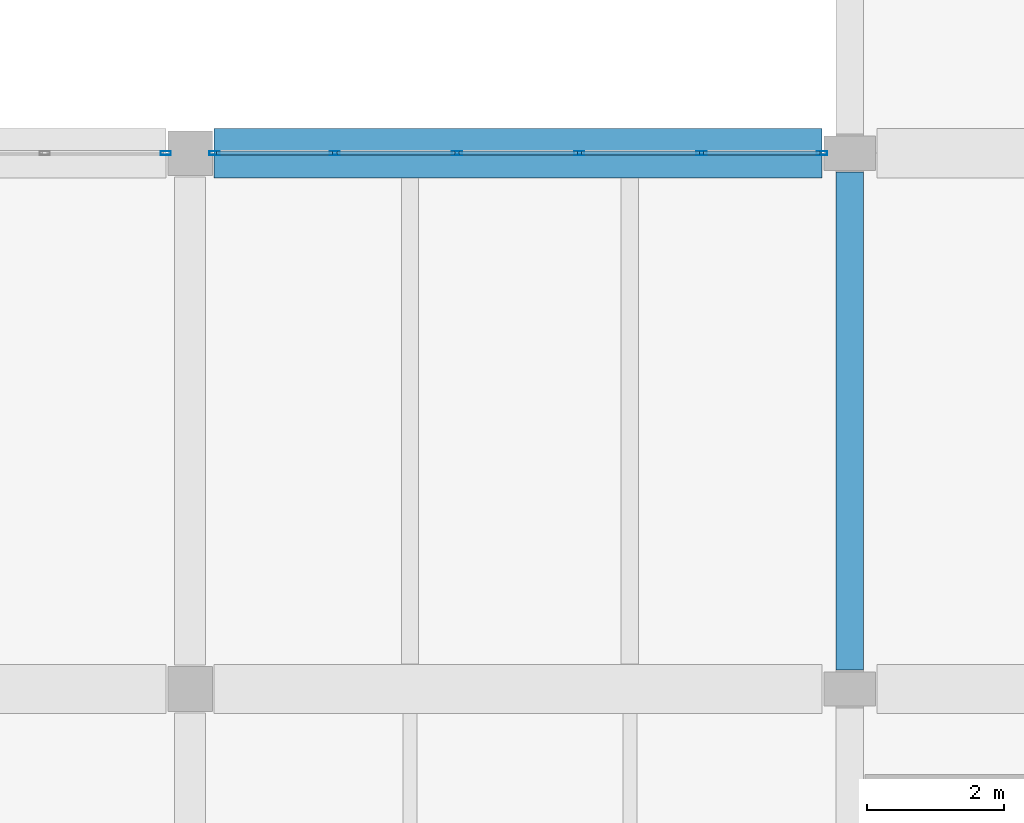
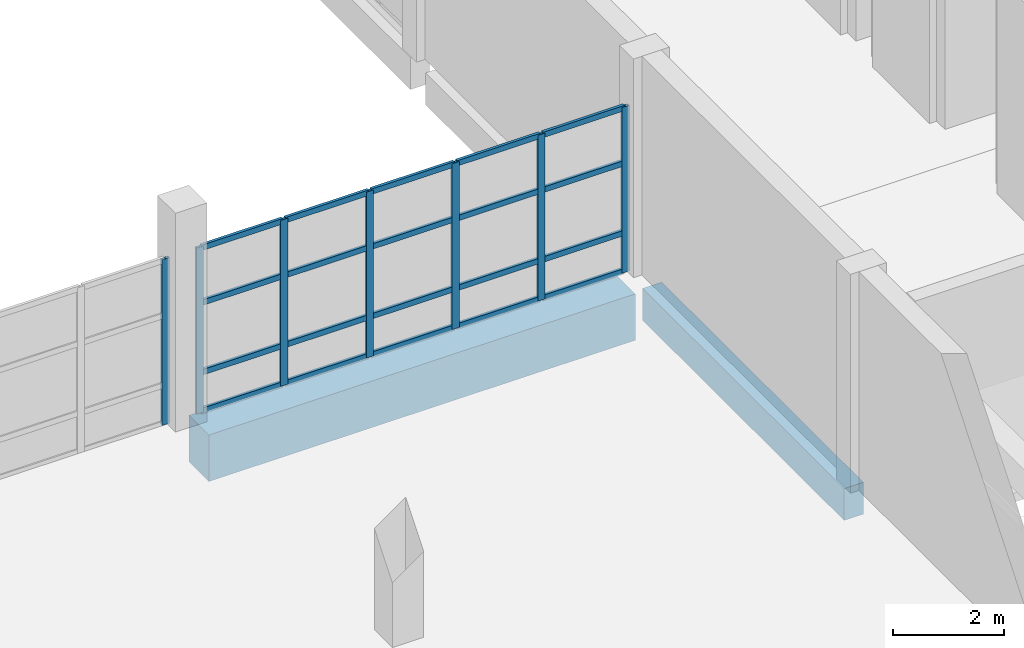
# One storey, part 35 of 79: 27 members, 2 beams, 2 elements without a shape of their own.
"""IFC4 building model written with IfcOpenShell, lengths in metres."""

from ifc_helpers import new_model, si_unit, direction, frame, origin, origin_2d, place, context, subcontext, project, spatial, rectangle, hollow_rectangle, extrude, material, material_profile, profile_set, type_object, element, aggregate, save


model = new_model("IFC4")

# Units and contexts
model_context = context("Model", 3, precision=1e-05, world=origin(), true_north=direction((0.0, 1.0)))
body_context = subcontext(model_context, "Body", "Model", "MODEL_VIEW")
ifc_project = project(units=[si_unit("LENGTHUNIT", "METRE"), si_unit("AREAUNIT", "SQUARE_METRE"), si_unit("VOLUMEUNIT", "CUBIC_METRE"), si_unit("PLANEANGLEUNIT", "RADIAN"), si_unit("MASSUNIT", "GRAM", prefix="KILO")], contexts=[model_context])

# Site, building, storey
site_placement = place(None, origin())
site = spatial("IfcSite", under=ifc_project, at=site_placement, CompositionType="ELEMENT")
building_placement = place(site_placement, origin())
building = spatial("IfcBuilding", under=site, at=building_placement, Name="Pellamere Symphony Hall", CompositionType="ELEMENT")
storey_placement = place(building_placement, frame((0.0, 0.0, 10.199951171875)))
storey = spatial("IfcBuildingStorey", under=building, at=storey_placement, Name="L02", CompositionType="ELEMENT", Elevation=10.199951171875)

# Curtain wall, member
ifc_material_1 = material(Name="Thermally Broken Anodised Aluminium 6063-T6 Curtain Wall", Category="aluminium")
curtain_wall_type = type_object("IfcCurtainWallType", Name="Curtain Wall CW-03 (Sculpture Court Glazed Link Curtain Wall)", PredefinedType="NOTDEFINED", material=ifc_material_1)
curtain_wall_1_placement = place(storey_placement, origin())
curtain_wall_1 = element("IfcCurtainWall", 1, at=curtain_wall_1_placement, inside=storey, type_object=curtain_wall_type, Name="Sculpture Court Link Curtain Wall (L02 Bay 1)", PredefinedType="NOTDEFINED")
ifc_material_2 = material(Name="Anodised Architectural Aluminium 6063-T6", Category="aluminium")
ifc_material_profile_1 = material_profile(ifc_material_2, hollow_rectangle(XDim=0.06005859375, YDim=0.14990234375, WallThickness=0.00390625, at=origin_2d()), Name="ALU-M60X150X4")
ifc_profile_set_1 = profile_set([ifc_material_profile_1], Name="Anodised Architectural Aluminium 6063-T6")
member_type_1 = type_object("IfcMemberType", Name="Curtain Wall Mullion ML-03 ALU-M60X150X4", PredefinedType="MULLION", material=ifc_profile_set_1)
member_1_placement = place(storey_placement, frame((128.044921875, 54.0, 0.0), z_axis=(0.0, 0.0, 1.0), x_axis=(0.0, 1.0, 0.0)))
member_1 = element("IfcMember", 2, at=member_1_placement, type_object=member_type_1, Name="CW3-105 crystal mullion 6", PredefinedType="MULLION", context=body_context, shape_type="SweptSolid", body=[
    extrude(hollow_rectangle(XDim=0.06005859375, YDim=0.14990234375, WallThickness=0.00390625, at=origin_2d()), origin(), (0.0, 0.0, 1.0), 3.64013671875),
])
aggregate(curtain_wall_1, [member_1])

# Curtain wall, members
curtain_wall_2_placement = place(storey_placement, origin())
curtain_wall_2 = element("IfcCurtainWall", 3, at=curtain_wall_2_placement, inside=storey, type_object=curtain_wall_type, Name="Sculpture Court Link Curtain Wall (L02 Bay 2)", PredefinedType="NOTDEFINED")
member_2_placement = place(storey_placement, frame((128.7548828125, 54.0, 0.0), z_axis=(0.0, 0.0, 1.0), x_axis=(0.0, 1.0, 0.0)))
member_2 = element("IfcMember", 4, at=member_2_placement, type_object=member_type_1, Name="CW3-106 crystal mullion 1", PredefinedType="MULLION", context=body_context, shape_type="SweptSolid", body=[
    extrude(hollow_rectangle(XDim=0.06005859375, YDim=0.14990234375, WallThickness=0.00390625, at=origin_2d()), origin(), (0.0, 0.0, 1.0), 3.64013671875),
])
member_3_placement = place(storey_placement, frame((130.5048828125, 54.0, 0.0), z_axis=(0.0, 0.0, 1.0), x_axis=(0.0, 1.0, 0.0)))
member_3 = element("IfcMember", 5, at=member_3_placement, type_object=member_type_1, Name="CW3-106 crystal mullion 2", PredefinedType="MULLION", context=body_context, shape_type="SweptSolid", body=[
    extrude(hollow_rectangle(XDim=0.06005859375, YDim=0.14990234375, WallThickness=0.00390625, at=origin_2d()), origin(), (0.0, 0.0, 1.0), 3.64013671875),
])
member_4_placement = place(storey_placement, frame((132.284912109375, 54.0, 0.0), z_axis=(0.0, 0.0, 1.0), x_axis=(0.0, 1.0, 0.0)))
member_4 = element("IfcMember", 6, at=member_4_placement, type_object=member_type_1, Name="CW3-106 crystal mullion 3", PredefinedType="MULLION", context=body_context, shape_type="SweptSolid", body=[
    extrude(hollow_rectangle(XDim=0.06005859375, YDim=0.14990234375, WallThickness=0.00390625, at=origin_2d()), origin(), (0.0, 0.0, 1.0), 3.64013671875),
])
member_5_placement = place(storey_placement, frame((134.06494140625, 54.0, 0.0), z_axis=(0.0, 0.0, 1.0), x_axis=(0.0, 1.0, 0.0)))
member_5 = element("IfcMember", 7, at=member_5_placement, type_object=member_type_1, Name="CW3-106 crystal mullion 4", PredefinedType="MULLION", context=body_context, shape_type="SweptSolid", body=[
    extrude(hollow_rectangle(XDim=0.06005859375, YDim=0.14990234375, WallThickness=0.00390625, at=origin_2d()), origin(), (0.0, 0.0, 1.0), 3.64013671875),
])
member_6_placement = place(storey_placement, frame((135.844970703125, 54.0, 0.0), z_axis=(0.0, 0.0, 1.0), x_axis=(0.0, 1.0, 0.0)))
member_6 = element("IfcMember", 8, at=member_6_placement, type_object=member_type_1, Name="CW3-106 crystal mullion 5", PredefinedType="MULLION", context=body_context, shape_type="SweptSolid", body=[
    extrude(hollow_rectangle(XDim=0.06005859375, YDim=0.14990234375, WallThickness=0.00390625, at=origin_2d()), origin(), (0.0, 0.0, 1.0), 3.64013671875),
])
member_7_placement = place(storey_placement, frame((137.594970703125, 54.0, 0.0), z_axis=(0.0, 0.0, 1.0), x_axis=(0.0, 1.0, 0.0)))
member_7 = element("IfcMember", 9, at=member_7_placement, type_object=member_type_1, Name="CW3-106 crystal mullion 6", PredefinedType="MULLION", context=body_context, shape_type="SweptSolid", body=[
    extrude(hollow_rectangle(XDim=0.06005859375, YDim=0.14990234375, WallThickness=0.00390625, at=origin_2d()), origin(), (0.0, 0.0, 1.0), 3.64013671875),
])
ifc_material_profile_2 = material_profile(ifc_material_2, hollow_rectangle(XDim=0.06005859375, YDim=0.1201171875, WallThickness=0.00390625, at=origin_2d()), Name="ALU-T60X120X4")
ifc_profile_set_2 = profile_set([ifc_material_profile_2], Name="Anodised Architectural Aluminium 6063-T6")
member_type_2 = type_object("IfcMemberType", Name="Curtain Wall Transom TR-03 ALU-T60X120X4", PredefinedType="USERDEFINED", material=ifc_profile_set_2)
member_8_placement = place(storey_placement, frame((128.784912109375, 54.0, 0.030029296875), z_axis=(1.0, 0.0, 0.0), x_axis=(0.0, 1.0, 0.0)))
member_8 = element("IfcMember", 10, at=member_8_placement, type_object=member_type_2, Name="CW3-106 crystal transom 1.1", ObjectType="TRANSOM", PredefinedType="USERDEFINED", context=body_context, shape_type="SweptSolid", body=[
    extrude(hollow_rectangle(XDim=0.06005859375, YDim=0.1201171875, WallThickness=0.00390625, at=origin_2d()), origin(), (0.0, 0.0, 1.0), 1.690185546875),
])
member_9_placement = place(storey_placement, frame((128.784912109375, 54.0, 0.87353515625), z_axis=(1.0, 0.0, 0.0), x_axis=(0.0, 1.0, 0.0)))
member_9 = element("IfcMember", 11, at=member_9_placement, type_object=member_type_2, Name="CW3-106 crystal transom 1.2", ObjectType="TRANSOM", PredefinedType="USERDEFINED", context=body_context, shape_type="SweptSolid", body=[
    extrude(hollow_rectangle(XDim=0.06005859375, YDim=0.1201171875, WallThickness=0.00390625, at=origin_2d()), origin(), (0.0, 0.0, 1.0), 1.690185546875),
])
member_10_placement = place(storey_placement, frame((128.784912109375, 54.0, 2.40234375), z_axis=(1.0, 0.0, 0.0), x_axis=(0.0, 1.0, 0.0)))
member_10 = element("IfcMember", 12, at=member_10_placement, type_object=member_type_2, Name="CW3-106 crystal transom 1.3", ObjectType="TRANSOM", PredefinedType="USERDEFINED", context=body_context, shape_type="SweptSolid", body=[
    extrude(hollow_rectangle(XDim=0.06005859375, YDim=0.1201171875, WallThickness=0.00390625, at=origin_2d()), origin(), (0.0, 0.0, 1.0), 1.690185546875),
])
member_11_placement = place(storey_placement, frame((128.784912109375, 54.0, 3.610107421875), z_axis=(1.0, 0.0, 0.0), x_axis=(0.0, 1.0, 0.0)))
member_11 = element("IfcMember", 13, at=member_11_placement, type_object=member_type_2, Name="CW3-106 crystal transom 1.4", ObjectType="TRANSOM", PredefinedType="USERDEFINED", context=body_context, shape_type="SweptSolid", body=[
    extrude(hollow_rectangle(XDim=0.06005859375, YDim=0.1201171875, WallThickness=0.00390625, at=origin_2d()), origin(), (0.0, 0.0, 1.0), 1.690185546875),
])
member_12_placement = place(storey_placement, frame((130.534912109375, 54.0, 0.030029296875), z_axis=(1.0, 0.0, 0.0), x_axis=(0.0, 1.0, 0.0)))
member_12 = element("IfcMember", 14, at=member_12_placement, type_object=member_type_2, Name="CW3-106 crystal transom 2.1", ObjectType="TRANSOM", PredefinedType="USERDEFINED", context=body_context, shape_type="SweptSolid", body=[
    extrude(hollow_rectangle(XDim=0.06005859375, YDim=0.1201171875, WallThickness=0.00390625, at=origin_2d()), origin(), (0.0, 0.0, 1.0), 1.719970703125),
])
member_13_placement = place(storey_placement, frame((130.534912109375, 54.0, 0.87353515625), z_axis=(1.0, 0.0, 0.0), x_axis=(0.0, 1.0, 0.0)))
member_13 = element("IfcMember", 15, at=member_13_placement, type_object=member_type_2, Name="CW3-106 crystal transom 2.2", ObjectType="TRANSOM", PredefinedType="USERDEFINED", context=body_context, shape_type="SweptSolid", body=[
    extrude(hollow_rectangle(XDim=0.06005859375, YDim=0.1201171875, WallThickness=0.00390625, at=origin_2d()), origin(), (0.0, 0.0, 1.0), 1.719970703125),
])
member_14_placement = place(storey_placement, frame((130.534912109375, 54.0, 2.40234375), z_axis=(1.0, 0.0, 0.0), x_axis=(0.0, 1.0, 0.0)))
member_14 = element("IfcMember", 16, at=member_14_placement, type_object=member_type_2, Name="CW3-106 crystal transom 2.3", ObjectType="TRANSOM", PredefinedType="USERDEFINED", context=body_context, shape_type="SweptSolid", body=[
    extrude(hollow_rectangle(XDim=0.06005859375, YDim=0.1201171875, WallThickness=0.00390625, at=origin_2d()), origin(), (0.0, 0.0, 1.0), 1.719970703125),
])
member_15_placement = place(storey_placement, frame((130.534912109375, 54.0, 3.610107421875), z_axis=(1.0, 0.0, 0.0), x_axis=(0.0, 1.0, 0.0)))
member_15 = element("IfcMember", 17, at=member_15_placement, type_object=member_type_2, Name="CW3-106 crystal transom 2.4", ObjectType="TRANSOM", PredefinedType="USERDEFINED", context=body_context, shape_type="SweptSolid", body=[
    extrude(hollow_rectangle(XDim=0.06005859375, YDim=0.1201171875, WallThickness=0.00390625, at=origin_2d()), origin(), (0.0, 0.0, 1.0), 1.719970703125),
])
member_16_placement = place(storey_placement, frame((132.31494140625, 54.0, 0.030029296875), z_axis=(1.0, 0.0, 0.0), x_axis=(0.0, 1.0, 0.0)))
member_16 = element("IfcMember", 18, at=member_16_placement, type_object=member_type_2, Name="CW3-106 crystal transom 3.1", ObjectType="TRANSOM", PredefinedType="USERDEFINED", context=body_context, shape_type="SweptSolid", body=[
    extrude(hollow_rectangle(XDim=0.06005859375, YDim=0.1201171875, WallThickness=0.00390625, at=origin_2d()), origin(), (0.0, 0.0, 1.0), 1.719970703125),
])
member_17_placement = place(storey_placement, frame((132.31494140625, 54.0, 0.87353515625), z_axis=(1.0, 0.0, 0.0), x_axis=(0.0, 1.0, 0.0)))
member_17 = element("IfcMember", 19, at=member_17_placement, type_object=member_type_2, Name="CW3-106 crystal transom 3.2", ObjectType="TRANSOM", PredefinedType="USERDEFINED", context=body_context, shape_type="SweptSolid", body=[
    extrude(hollow_rectangle(XDim=0.06005859375, YDim=0.1201171875, WallThickness=0.00390625, at=origin_2d()), origin(), (0.0, 0.0, 1.0), 1.719970703125),
])
member_18_placement = place(storey_placement, frame((132.31494140625, 54.0, 2.40234375), z_axis=(1.0, 0.0, 0.0), x_axis=(0.0, 1.0, 0.0)))
member_18 = element("IfcMember", 20, at=member_18_placement, type_object=member_type_2, Name="CW3-106 crystal transom 3.3", ObjectType="TRANSOM", PredefinedType="USERDEFINED", context=body_context, shape_type="SweptSolid", body=[
    extrude(hollow_rectangle(XDim=0.06005859375, YDim=0.1201171875, WallThickness=0.00390625, at=origin_2d()), origin(), (0.0, 0.0, 1.0), 1.719970703125),
])
member_19_placement = place(storey_placement, frame((132.31494140625, 54.0, 3.610107421875), z_axis=(1.0, 0.0, 0.0), x_axis=(0.0, 1.0, 0.0)))
member_19 = element("IfcMember", 21, at=member_19_placement, type_object=member_type_2, Name="CW3-106 crystal transom 3.4", ObjectType="TRANSOM", PredefinedType="USERDEFINED", context=body_context, shape_type="SweptSolid", body=[
    extrude(hollow_rectangle(XDim=0.06005859375, YDim=0.1201171875, WallThickness=0.00390625, at=origin_2d()), origin(), (0.0, 0.0, 1.0), 1.719970703125),
])
member_20_placement = place(storey_placement, frame((134.094970703125, 54.0, 0.030029296875), z_axis=(1.0, 0.0, 0.0), x_axis=(0.0, 1.0, 0.0)))
member_20 = element("IfcMember", 22, at=member_20_placement, type_object=member_type_2, Name="CW3-106 crystal transom 4.1", ObjectType="TRANSOM", PredefinedType="USERDEFINED", context=body_context, shape_type="SweptSolid", body=[
    extrude(hollow_rectangle(XDim=0.06005859375, YDim=0.1201171875, WallThickness=0.00390625, at=origin_2d()), origin(), (0.0, 0.0, 1.0), 1.719970703125),
])
member_21_placement = place(storey_placement, frame((134.094970703125, 54.0, 0.87353515625), z_axis=(1.0, 0.0, 0.0), x_axis=(0.0, 1.0, 0.0)))
member_21 = element("IfcMember", 23, at=member_21_placement, type_object=member_type_2, Name="CW3-106 crystal transom 4.2", ObjectType="TRANSOM", PredefinedType="USERDEFINED", context=body_context, shape_type="SweptSolid", body=[
    extrude(hollow_rectangle(XDim=0.06005859375, YDim=0.1201171875, WallThickness=0.00390625, at=origin_2d()), origin(), (0.0, 0.0, 1.0), 1.719970703125),
])
member_22_placement = place(storey_placement, frame((134.094970703125, 54.0, 2.40234375), z_axis=(1.0, 0.0, 0.0), x_axis=(0.0, 1.0, 0.0)))
member_22 = element("IfcMember", 24, at=member_22_placement, type_object=member_type_2, Name="CW3-106 crystal transom 4.3", ObjectType="TRANSOM", PredefinedType="USERDEFINED", context=body_context, shape_type="SweptSolid", body=[
    extrude(hollow_rectangle(XDim=0.06005859375, YDim=0.1201171875, WallThickness=0.00390625, at=origin_2d()), origin(), (0.0, 0.0, 1.0), 1.719970703125),
])
member_23_placement = place(storey_placement, frame((134.094970703125, 54.0, 3.610107421875), z_axis=(1.0, 0.0, 0.0), x_axis=(0.0, 1.0, 0.0)))
member_23 = element("IfcMember", 25, at=member_23_placement, type_object=member_type_2, Name="CW3-106 crystal transom 4.4", ObjectType="TRANSOM", PredefinedType="USERDEFINED", context=body_context, shape_type="SweptSolid", body=[
    extrude(hollow_rectangle(XDim=0.06005859375, YDim=0.1201171875, WallThickness=0.00390625, at=origin_2d()), origin(), (0.0, 0.0, 1.0), 1.719970703125),
])
member_24_placement = place(storey_placement, frame((135.875, 54.0, 0.030029296875), z_axis=(1.0, 0.0, 0.0), x_axis=(0.0, 1.0, 0.0)))
member_24 = element("IfcMember", 26, at=member_24_placement, type_object=member_type_2, Name="CW3-106 crystal transom 5.1", ObjectType="TRANSOM", PredefinedType="USERDEFINED", context=body_context, shape_type="SweptSolid", body=[
    extrude(hollow_rectangle(XDim=0.06005859375, YDim=0.1201171875, WallThickness=0.00390625, at=origin_2d()), origin(), (0.0, 0.0, 1.0), 1.68994140625),
])
member_25_placement = place(storey_placement, frame((135.875, 54.0, 0.87353515625), z_axis=(1.0, 0.0, 0.0), x_axis=(0.0, 1.0, 0.0)))
member_25 = element("IfcMember", 27, at=member_25_placement, type_object=member_type_2, Name="CW3-106 crystal transom 5.2", ObjectType="TRANSOM", PredefinedType="USERDEFINED", context=body_context, shape_type="SweptSolid", body=[
    extrude(hollow_rectangle(XDim=0.06005859375, YDim=0.1201171875, WallThickness=0.00390625, at=origin_2d()), origin(), (0.0, 0.0, 1.0), 1.68994140625),
])
member_26_placement = place(storey_placement, frame((135.875, 54.0, 2.40234375), z_axis=(1.0, 0.0, 0.0), x_axis=(0.0, 1.0, 0.0)))
member_26 = element("IfcMember", 28, at=member_26_placement, type_object=member_type_2, Name="CW3-106 crystal transom 5.3", ObjectType="TRANSOM", PredefinedType="USERDEFINED", context=body_context, shape_type="SweptSolid", body=[
    extrude(hollow_rectangle(XDim=0.06005859375, YDim=0.1201171875, WallThickness=0.00390625, at=origin_2d()), origin(), (0.0, 0.0, 1.0), 1.68994140625),
])
member_27_placement = place(storey_placement, frame((135.875, 54.0, 3.610107421875), z_axis=(1.0, 0.0, 0.0), x_axis=(0.0, 1.0, 0.0)))
member_27 = element("IfcMember", 29, at=member_27_placement, type_object=member_type_2, Name="CW3-106 crystal transom 5.4", ObjectType="TRANSOM", PredefinedType="USERDEFINED", context=body_context, shape_type="SweptSolid", body=[
    extrude(hollow_rectangle(XDim=0.06005859375, YDim=0.1201171875, WallThickness=0.00390625, at=origin_2d()), origin(), (0.0, 0.0, 1.0), 1.68994140625),
])
aggregate(curtain_wall_2, [member_2, member_3, member_4, member_5, member_6, member_7, member_8, member_9, member_10, member_11, member_12, member_13, member_14, member_15, member_16, member_17, member_18, member_19, member_20, member_21, member_22, member_23, member_24, member_25, member_26, member_27])

# Beams
ifc_material_3 = material(Name="Concrete 40 MPa", Category="concrete")
ifc_material_profile_3 = material_profile(ifc_material_3, rectangle(XDim=0.39990234375, YDim=0.699951171875, at=origin_2d()), Name="RC 400x700")
ifc_profile_set_3 = profile_set([ifc_material_profile_3], Name="Concrete 40 MPa")
beam_type_1 = type_object("IfcBeamType", Name="RC CB-13 400x700", PredefinedType="SPANDREL", material=ifc_profile_set_3)
beam_1_placement = place(storey_placement, frame((138.0, 46.47509765625, -0.6298828125), z_axis=(0.0, 1.0, 0.0), x_axis=(-1.0, 0.0, 0.0)))
element("IfcBeam", 30, at=beam_1_placement, inside=storey, type_object=beam_type_1, Name="Girder CB-13-Y1347 (L02)", PredefinedType="SPANDREL", context=body_context, shape_type="SweptSolid", body=[
    extrude(rectangle(XDim=0.39990234375, YDim=0.699951171875, at=origin_2d()), origin(), (0.0, 0.0, 1.0), 7.25),
])
ifc_material_profile_4 = material_profile(ifc_material_3, rectangle(XDim=0.719970703125, YDim=1.02001953125, at=origin_2d()), Name="RC 720x1020")
ifc_profile_set_4 = profile_set([ifc_material_profile_4], Name="Concrete 40 MPa")
beam_type_2 = type_object("IfcBeamType", Name="RC CB-23 720x1020", PredefinedType="BEAM", material=ifc_profile_set_4)
beam_2_placement = place(storey_placement, frame((128.75, 54.0, -0.7900390625), z_axis=(1.0, 0.0, 0.0), x_axis=(0.0, 1.0, 0.0)))
element("IfcBeam", 31, at=beam_2_placement, inside=storey, type_object=beam_type_2, Name="Girder CB-23-X1137 (L02)", PredefinedType="BEAM", context=body_context, shape_type="SweptSolid", body=[
    extrude(rectangle(XDim=0.719970703125, YDim=1.02001953125, at=origin_2d()), origin(), (0.0, 0.0, 1.0), 8.85009765625),
])

save(model, "model.ifc")
